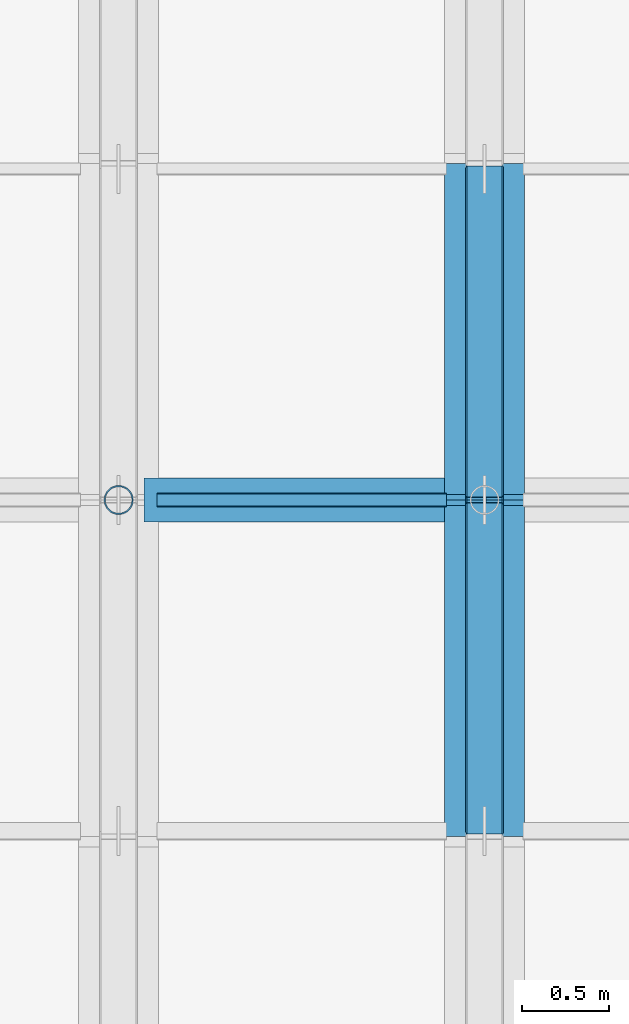
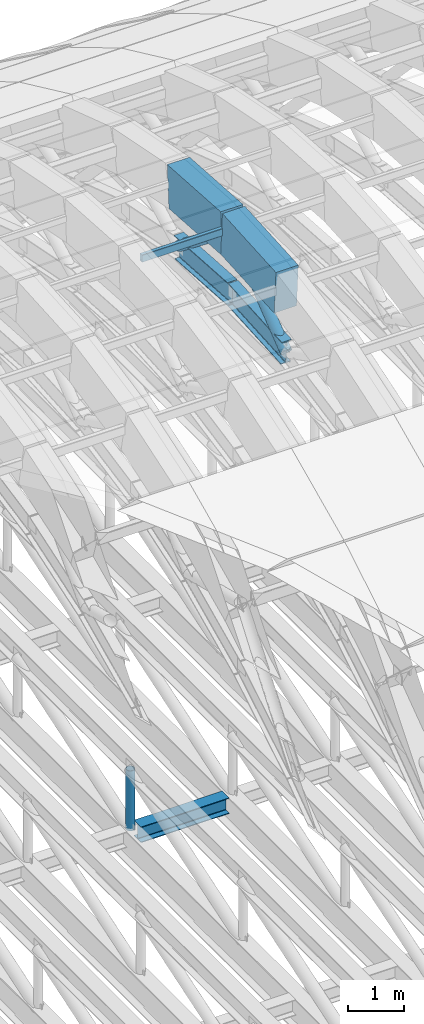
# One storey, part 26 of 67: 5 beams, 4 members.
"""IFC4 building model written with IfcOpenShell, lengths in metres."""

from ifc_helpers import new_model, si_unit, direction, frame, origin, origin_2d, place, context, subcontext, project, spatial, rectangle, hollow_rectangle, hollow_circle, i_section, extrude, material, material_profile, profile_set, type_object, element, save


model = new_model("IFC4")

# Units and contexts
model_context = context("Model", 3, precision=1e-05, world=origin(), true_north=direction((0.0, 1.0)))
body_context = subcontext(model_context, "Body", "Model", "MODEL_VIEW")
ifc_project = project(units=[si_unit("LENGTHUNIT", "METRE"), si_unit("AREAUNIT", "SQUARE_METRE"), si_unit("VOLUMEUNIT", "CUBIC_METRE"), si_unit("PLANEANGLEUNIT", "RADIAN"), si_unit("MASSUNIT", "GRAM", prefix="KILO")], contexts=[model_context])

# Site, building, storey
site_placement = place(None, origin())
site = spatial("IfcSite", under=ifc_project, at=site_placement, CompositionType="ELEMENT")
building_placement = place(site_placement, origin())
building = spatial("IfcBuilding", under=site, at=building_placement, Name="Shengluoqiao Park Theatre", CompositionType="ELEMENT")
storey_placement = place(building_placement, frame((0.0, 0.0, 28.60009765625)))
storey = spatial("IfcBuildingStorey", under=building, at=storey_placement, Name="Roof", CompositionType="ELEMENT", Elevation=28.60009765625)

# Beams
ifc_material_1 = material(Name="Concrete C50", Category="concrete")
ifc_material_profile_1 = material_profile(ifc_material_1, rectangle(XDim=0.4599609375, YDim=0.919921875, at=origin_2d()), Name="RC ARCH 460x920")
ifc_profile_set_1 = profile_set([ifc_material_profile_1], Name="Concrete C50")
beam_type_1 = type_object("IfcBeamType", Name="STR-BM-AR-4609", PredefinedType="BEAM", material=ifc_profile_set_1)
for number, where, z_axis, x_axis, name in (
    (1, (75.89990234375, 93.10009765625, 2.453857421875), (0.0, 0.997808922354, 0.066161578506), (-1.0, 0.0, 0.0), "Barrel-Shell Arch Rib R16-S10"),
    (2, (75.89990234375, 95.0, 2.579833984375), (0.0, 0.997808922354, -0.066161578506), (-1.0, 0.0, 0.0), "Barrel-Shell Arch Rib R16-S11"),
):
    element("IfcBeam", number, at=place(storey_placement, frame(where, z_axis=z_axis, x_axis=x_axis)), inside=storey, type_object=beam_type_1, Name=name, PredefinedType="BEAM", context=body_context, shape_type="SweptSolid", body=[
        extrude(rectangle(XDim=0.4599609375, YDim=0.919921875, at=origin_2d()), origin(), (0.0, 0.0, 1.0), 1.904052734375),
    ])
ifc_material_2 = material(Name="Steel Q355", Category="steel")
ifc_material_profile_2 = material_profile(ifc_material_2, i_section(OverallWidth=0.25, OverallDepth=0.340087890625, WebThickness=0.009033203125, FlangeThickness=0.013916015625, FilletRadius=0.01611328125, at=origin_2d()), Name="HM 340x250x9x14")
ifc_profile_set_2 = profile_set([ifc_material_profile_2], Name="Steel Q355")
beam_type_2 = type_object("IfcBeamType", Name="STR-BM-G-HM340", PredefinedType="BEAM", material=ifc_profile_set_2)
beam_placement = place(storey_placement, frame((73.944091796875, 95.0, -9.77001953125), z_axis=(1.0, 0.0, 0.0), x_axis=(0.0, 1.0, 0.0)))
element("IfcBeam", 3, at=beam_placement, inside=storey, type_object=beam_type_2, Name="Auditorium Overhead Catwalk Girder R15-3", PredefinedType="BEAM", context=body_context, shape_type="SweptSolid", body=[
    extrude(i_section(OverallWidth=0.25, OverallDepth=0.340087890625, WebThickness=0.009033203125, FlangeThickness=0.013916015625, FilletRadius=0.01611328125, at=origin_2d()), origin(), (0.0, 0.0, 1.0), 1.81201171875),
])
ifc_material_profile_3 = material_profile(ifc_material_2, i_section(OverallWidth=0.199951171875, OverallDepth=0.5, WebThickness=0.010009765625, FlangeThickness=0.01611328125, FilletRadius=0.01806640625, at=origin_2d()), Name="HN 500x200x10x16")
ifc_profile_set_3 = profile_set([ifc_material_profile_3], Name="Steel Q355")
beam_type_3 = type_object("IfcBeamType", Name="STR-BM-J-HN500", PredefinedType="JOIST", material=ifc_profile_set_3)
for number, where, z_axis, x_axis, name in (
    (4, (75.89990234375, 93.10009765625, 1.093994140625), (0.0, 0.997808922354, 0.066161578506), (-1.0, 0.0, 0.0), "Barrel-Shell Lower Arch Chord R16-S10"),
    (5, (75.89990234375, 95.0, 1.219970703125), (0.0, 0.997808922354, -0.066161578506), (-1.0, 0.0, 0.0), "Barrel-Shell Lower Arch Chord R16-S11"),
):
    element("IfcBeam", number, at=place(storey_placement, frame(where, z_axis=z_axis, x_axis=x_axis)), inside=storey, type_object=beam_type_3, Name=name, PredefinedType="JOIST", context=body_context, shape_type="SweptSolid", body=[
        extrude(i_section(OverallWidth=0.199951171875, OverallDepth=0.5, WebThickness=0.010009765625, FlangeThickness=0.01611328125, FilletRadius=0.01806640625, at=origin_2d()), origin(), (0.0, 0.0, 1.0), 1.904052734375),
    ])

# Members
ifc_material_profile_4 = material_profile(ifc_material_2, hollow_circle(Radius=0.109619140625, WallThickness=0.010009765625, at=origin_2d()), Name="CHS 219x10")
ifc_profile_set_4 = profile_set([ifc_material_profile_4], Name="Steel Q355")
member_type_1 = type_object("IfcMemberType", Name="STR-MEM-BRC-219", PredefinedType="BRACE", material=ifc_profile_set_4)
for number, where, z_axis, x_axis, name in (
    (6, (75.89990234375, 93.10009765625, 1.093994140625), (0.0, 0.787714283449, 0.616040751615), (-1.0, 0.0, 0.0), "Barrel-Shell Arch Truss Web 0310"),
    (7, (75.89990234375, 95.0, 2.579833984375), (0.0, 0.787714283449, -0.616040751615), (-1.0, 0.0, 0.0), "Barrel-Shell Arch Truss Web 0311"),
):
    element("IfcMember", number, at=place(storey_placement, frame(where, z_axis=z_axis, x_axis=x_axis)), inside=storey, type_object=member_type_1, Name=name, PredefinedType="BRACE", context=body_context, shape_type="SweptSolid", body=[
        extrude(hollow_circle(Radius=0.109619140625, WallThickness=0.010009765625, at=origin_2d()), origin(), (0.0, 0.0, 1.0), 2.411865234375),
    ])
ifc_material_profile_5 = material_profile(ifc_material_2, hollow_rectangle(XDim=0.080078125, YDim=0.159912109375, WallThickness=0.006103515625, InnerFilletRadius=0.006103515625, OuterFilletRadius=0.011962890625, at=origin_2d()), Name="RHS 160x80x6")
ifc_profile_set_5 = profile_set([ifc_material_profile_5], Name="Steel Q355")
member_type_2 = type_object("IfcMemberType", Name="STR-MEM-PU-R160", PredefinedType="PURLIN", material=ifc_profile_set_5)
member_1_placement = place(storey_placement, frame((74.02001953125, 95.0, 2.639892578125), z_axis=(1.0, 0.0, 0.0), x_axis=(0.0, 1.0, 0.0)))
element("IfcMember", 8, at=member_1_placement, inside=storey, type_object=member_type_2, Name="Shell Longitudinal Purlin 0276", PredefinedType="PURLIN", context=body_context, shape_type="SweptSolid", body=[
    extrude(hollow_rectangle(XDim=0.080078125, YDim=0.159912109375, WallThickness=0.006103515625, InnerFilletRadius=0.006103515625, OuterFilletRadius=0.011962890625, at=origin_2d()), origin(), (0.0, 0.0, 1.0), 1.659912109375),
])
ifc_material_profile_6 = material_profile(ifc_material_2, hollow_circle(Radius=0.083984375, WallThickness=0.008056640625, at=origin_2d()), Name="CHS 168x8")
ifc_profile_set_6 = profile_set([ifc_material_profile_6], Name="Steel Q355")
member_type_3 = type_object("IfcMemberType", Name="STR-MEM-STC-168", PredefinedType="STRUT", material=ifc_profile_set_6)
member_2_placement = place(storey_placement, frame((73.800048828125, 95.0, -9.650146484375), z_axis=(0.0, 0.0, 1.0), x_axis=(1.0, 0.0, 0.0)))
element("IfcMember", 9, at=member_2_placement, inside=storey, type_object=member_type_3, Name="Acoustic Tie Truss Strut 0090", PredefinedType="STRUT", context=body_context, shape_type="SweptSolid", body=[
    extrude(hollow_circle(Radius=0.083984375, WallThickness=0.008056640625, at=origin_2d()), origin(), (0.0, 0.0, 1.0), 1.300048828125),
])

save(model, "model.ifc")
